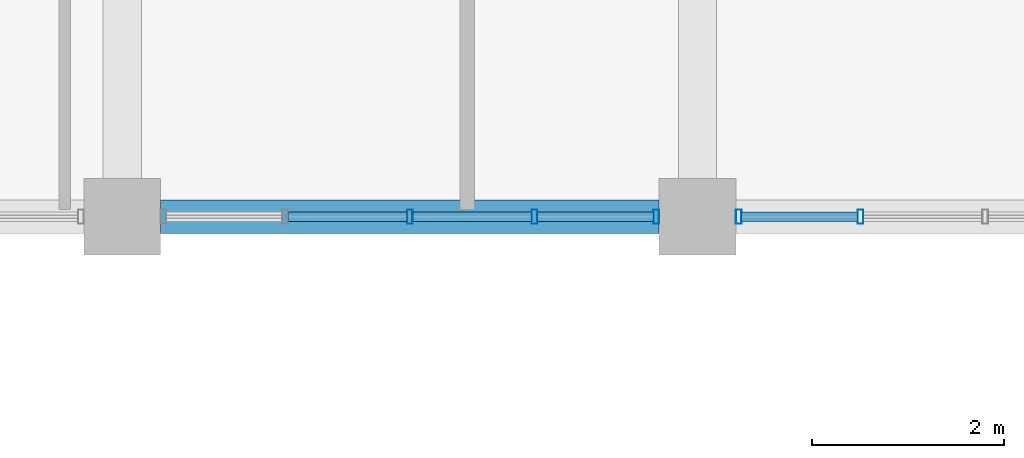
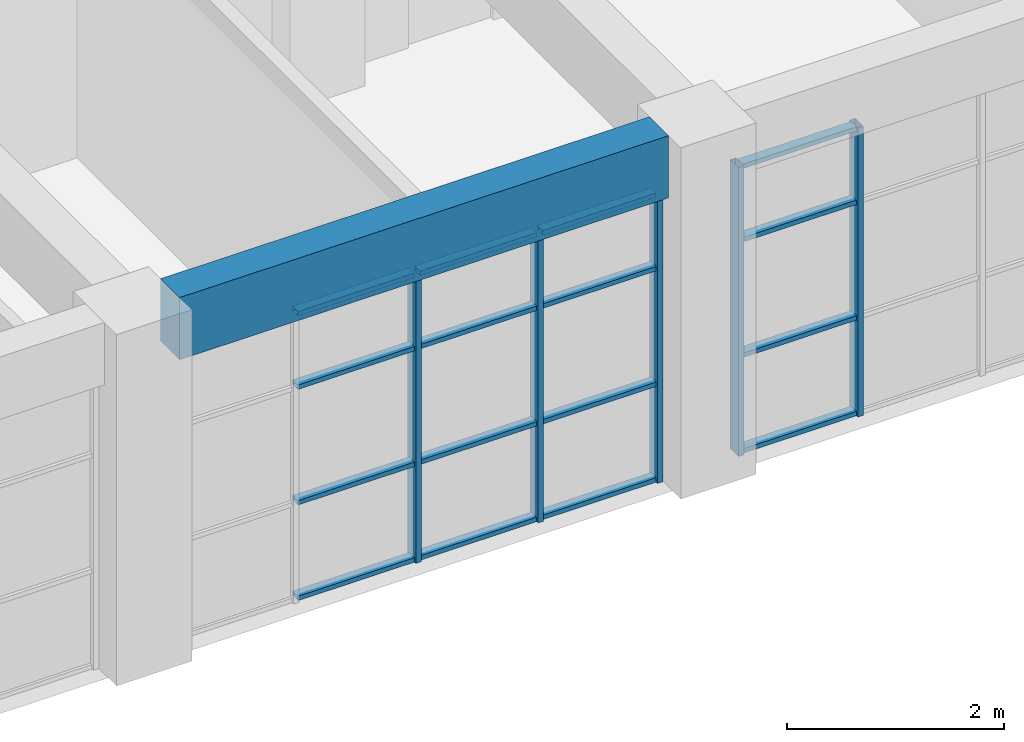
# One storey, part 14 of 51: 21 members, 1 beam, 2 elements without a shape of their own.
"""IFC4 building model written with IfcOpenShell, lengths in metres."""

import ifcopenshell
import ifcopenshell.guid

model = None  # the IFC model being written
_history = None  # IfcOwnerHistory: only IFC2X3 demands one
_inside = {}  # id of a spatial element -> (the spatial element, [elements in it])
_under = {}  # id of a project, library or spatial element -> (it, [spatial elements below it])
_declared = {}  # id of a project -> (the project, [libraries it declares])
_typed = {}  # id of a type object -> (the type object, [elements of that type])
_made_of = {}  # id of a material, layer set ... -> (it, [elements and type objects made of it])


def new_model(schema):
    """Start an empty IFC model of exactly this schema.

    Asked for "IFC4X3", IfcOpenShell would pick the latest addendum, in which some entities
    have other attributes; the version numbers below select the first issue.
    IFC2X3 requires an IfcOwnerHistory on every rooted entity: one is made here for all.
    """
    global model, _history
    if schema == "IFC4X3":
        model = ifcopenshell.file(schema_version=(4, 3, 0, 0))
    else:
        model = ifcopenshell.file(schema=schema)
    _inside.clear()
    _under.clear()
    _declared.clear()
    _typed.clear()
    _made_of.clear()
    _history = None
    if model.schema == "IFC2X3":
        org = make("IfcOrganization", Name="unknown")
        user = make(
            "IfcPersonAndOrganization",
            ThePerson=make("IfcPerson", FamilyName="unknown"),
            TheOrganization=org,
        )
        app = make(
            "IfcApplication",
            ApplicationDeveloper=org,
            Version="unknown",
            ApplicationFullName="unknown",
            ApplicationIdentifier="unknown",
        )
        _history = make(
            "IfcOwnerHistory",
            OwningUser=user,
            OwningApplication=app,
            ChangeAction="ADDED",
            CreationDate=0,
        )
    return model


def make(cls, **values):
    """One entity of the class cls with the attributes given. An attribute that is None is left unset."""
    return model.create_entity(
        cls, **{name: value for name, value in values.items() if value is not None}
    )


def rooted(cls, **values):
    """An entity with a GlobalId (a new one), such as an element, a storey or a relation."""
    return make(cls, GlobalId=ifcopenshell.guid.new(), OwnerHistory=_history, **values)


def si_unit(unit_type, name, prefix=None):
    """IfcSIUnit, for example si_unit("LENGTHUNIT", "METRE", prefix="MILLI")."""
    return make("IfcSIUnit", UnitType=unit_type, Prefix=prefix, Name=name)


def assignment(units):
    """IfcUnitAssignment: the units of a project."""
    return None if units is None else make("IfcUnitAssignment", Units=units)


def point(xyz):
    """IfcCartesianPoint."""
    return None if xyz is None else make("IfcCartesianPoint", Coordinates=xyz)


def direction(xyz):
    """IfcDirection."""
    return None if xyz is None else make("IfcDirection", DirectionRatios=xyz)


def frame(location, z_axis=None, x_axis=None):
    """IfcAxis2Placement3D, a coordinate frame: its origin and axes. An axis left out is left unset."""
    return make(
        "IfcAxis2Placement3D",
        Location=point(location),
        Axis=direction(z_axis),
        RefDirection=direction(x_axis),
    )


def frame_2d(location, x_axis=None):
    """IfcAxis2Placement2D, a coordinate frame in the plane: its origin and x axis."""
    return make(
        "IfcAxis2Placement2D", Location=point(location), RefDirection=direction(x_axis)
    )


def origin():
    """The frame at (0, 0, 0) with its axes left unset."""
    return frame((0.0, 0.0, 0.0))


def origin_2d():
    """The frame at (0, 0) in the plane with its x axis left unset."""
    return frame_2d((0.0, 0.0))


def place(relative_to, where):
    """IfcLocalPlacement: puts the frame where relative to a parent placement (None: the world)."""
    return make(
        "IfcLocalPlacement", PlacementRelTo=relative_to, RelativePlacement=where
    )


def context(
    kind, dimensions, precision=None, world=None, true_north=None, identifier=None
):
    """IfcGeometricRepresentationContext, for example the 3D "Model" context."""
    return make(
        "IfcGeometricRepresentationContext",
        ContextIdentifier=identifier,
        ContextType=kind,
        CoordinateSpaceDimension=dimensions,
        Precision=precision,
        WorldCoordinateSystem=world,
        TrueNorth=true_north,
    )


def subcontext(parent, identifier, kind, view, scale=None):
    """IfcGeometricRepresentationSubContext, for example "Body" below "Model"."""
    return make(
        "IfcGeometricRepresentationSubContext",
        ContextIdentifier=identifier,
        ContextType=kind,
        ParentContext=parent,
        TargetScale=scale,
        TargetView=view,
    )


def project(units=None, contexts=None):
    """IfcProject with its units and contexts."""
    return rooted(
        "IfcProject",
        Name="project",
        RepresentationContexts=contexts,
        UnitsInContext=assignment(units),
    )


def spatial(cls, under=None, at=None, **own):
    """A site, building, storey or space (cls), placed at a placement, below another one or the project."""
    s = rooted(cls, ObjectPlacement=at, **own)
    if under is not None:
        _under.setdefault(under.id(), (under, []))[1].append(s)
    return s


def profile(cls, at=None, kind="AREA", **sizes):
    """A parametric profile (cls). Its sizes go by their IFC names, for example OverallWidth=200.0."""
    return make(cls, ProfileType=kind, Position=at, **sizes)


def rectangle(**sizes):
    """IfcRectangleProfileDef."""
    return profile("IfcRectangleProfileDef", **sizes)


def hollow_rectangle(**sizes):
    """IfcRectangleHollowProfileDef."""
    return profile("IfcRectangleHollowProfileDef", **sizes)


def extrude(swept, where, along, depth):
    """IfcExtrudedAreaSolid: the profile swept, set in the frame where, extruded along a direction by depth."""
    return make(
        "IfcExtrudedAreaSolid",
        SweptArea=swept,
        Position=where,
        ExtrudedDirection=direction(along),
        Depth=depth,
    )


def shape(context_of_items, identifier, shape_type, items):
    """IfcShapeRepresentation: the items that make up one representation, for example the "Body"."""
    return make(
        "IfcShapeRepresentation",
        ContextOfItems=context_of_items,
        RepresentationIdentifier=identifier,
        RepresentationType=shape_type,
        Items=items,
    )


def material(Name=None, Category=None):
    """IfcMaterial."""
    return make("IfcMaterial", Name=Name, Category=Category)


def material_profile(
    of_material, cross_section, Name=None, Category=None, Priority=None
):
    """IfcMaterialProfile: a cross section and its material."""
    return make(
        "IfcMaterialProfile",
        Name=Name,
        Material=of_material,
        Profile=cross_section,
        Priority=Priority,
        Category=Category,
    )


def profile_set(profiles, Name=None, composite=None):
    """IfcMaterialProfileSet."""
    return make(
        "IfcMaterialProfileSet",
        Name=Name,
        MaterialProfiles=profiles,
        CompositeProfile=composite,
    )


def made_of(thing, what):
    """Note that an element or type object is made of a material, layer set ...; save() writes the relation."""
    if what is not None:
        _made_of.setdefault(what.id(), (what, []))[1].append(thing)
    return thing


def type_object(cls, material=None, **own):
    """A type object (cls), such as IfcWallType, which elements share."""
    return made_of(rooted(cls, **own), material)


def element(
    cls,
    number,
    at=None,
    inside=None,
    cuts=None,
    type_object=None,
    material=None,
    context=None,
    identifier="Body",
    shape_type=None,
    held_by="IfcProductDefinitionShape",
    body=None,
    shapes=None,
    **own,
):
    """One element of the class cls, such as IfcWall. Its Tag is "e" and its number.

    at: its placement. inside: the storey or other place that contains it. cuts: it is an
    opening in that element (IfcRelVoidsElement). A single representation is given by context,
    identifier, shape_type and body (its items); several are given by shapes. held_by: the class
    of the entity that holds the representations. save() writes the other relations.
    """
    e = rooted(cls, Tag="e%d" % number, ObjectPlacement=at, **own)
    if body is not None:
        shapes = [shape(context, identifier, shape_type, body)]
    if shapes is not None:
        e.Representation = make(held_by, Representations=shapes)
    if inside is not None:
        _inside.setdefault(inside.id(), (inside, []))[1].append(e)
    if cuts is not None:
        rooted(
            "IfcRelVoidsElement", RelatingBuildingElement=cuts, RelatedOpeningElement=e
        )
    if type_object is not None:
        _typed.setdefault(type_object.id(), (type_object, []))[1].append(e)
    return made_of(e, material)


def aggregate(whole, parts):
    """IfcRelAggregates: a whole, such as a stair, and the parts it consists of."""
    return rooted("IfcRelAggregates", RelatingObject=whole, RelatedObjects=parts)


def save(model, path):
    """Write the relations noted so far, then the file.

    IfcRelAggregates (storeys below a building ...), IfcRelContainedInSpatialStructure (elements
    in a storey), IfcRelDefinesByType, IfcRelAssociatesMaterial and IfcRelDeclares: one each for
    every whole, place, type object, material and project.
    """
    for whole, parts in _under.values():
        aggregate(whole, parts)
    for where, things in _inside.values():
        rooted(
            "IfcRelContainedInSpatialStructure",
            RelatedElements=things,
            RelatingStructure=where,
        )
    for kind, things in _typed.values():
        rooted("IfcRelDefinesByType", RelatedObjects=things, RelatingType=kind)
    for what, things in _made_of.values():
        rooted("IfcRelAssociatesMaterial", RelatedObjects=things, RelatingMaterial=what)
    for by, libraries in _declared.values():
        rooted("IfcRelDeclares", RelatingContext=by, RelatedDefinitions=libraries)
    model.write(path)


model = new_model("IFC4")

# Units and contexts
model_context = context("Model", 3, precision=1e-05, world=origin(), true_north=direction((0.0, 1.0)))
body_context = subcontext(model_context, "Body", "Model", "MODEL_VIEW")
ifc_project = project(units=[si_unit("LENGTHUNIT", "METRE"), si_unit("AREAUNIT", "SQUARE_METRE"), si_unit("VOLUMEUNIT", "CUBIC_METRE"), si_unit("PLANEANGLEUNIT", "RADIAN"), si_unit("MASSUNIT", "GRAM", prefix="KILO")], contexts=[model_context])

# Site, building, storey
site_placement = place(None, origin())
site = spatial("IfcSite", under=ifc_project, at=site_placement, CompositionType="ELEMENT")
building_placement = place(site_placement, origin())
building = spatial("IfcBuilding", under=site, at=building_placement, Name="Laocheng Heights Fire and Rescue Headquarters", CompositionType="ELEMENT")
storey_placement = place(building_placement, frame((0.0, 0.0, 21.0)))
storey = spatial("IfcBuildingStorey", under=building, at=storey_placement, Name="L05", CompositionType="ELEMENT", Elevation=21.0)

# Curtain wall, members
ifc_material_1 = material(Name="Dark anodised aluminium unitised curtain wall, low-e double glazing", Category="aluminium")
curtain_wall_type = type_object("IfcCurtainWallType", Name="CW 5200 x 3250 HQ SOUTH RIBBON", PredefinedType="NOTDEFINED", material=ifc_material_1)
curtain_wall_1_placement = place(storey_placement, origin())
curtain_wall_1 = element("IfcCurtainWall", 1, at=curtain_wall_1_placement, inside=storey, type_object=curtain_wall_type, Name="X16-X HQ SOUTH L05", PredefinedType="NOTDEFINED")
ifc_material_2 = material(Name="Dark anodised aluminium 6063-T5 extrusion", Category="aluminium")
ifc_material_profile_1 = material_profile(ifc_material_2, hollow_rectangle(XDim=0.14990234375, YDim=0.06005859375, WallThickness=0.0029296875, at=origin_2d()), Name="AL MULLION 150x60x3 HQ SOUTH RIBBON")
ifc_profile_set_1 = profile_set([ifc_material_profile_1], Name="Dark anodised aluminium 6063-T5 extrusion")
member_type_1 = type_object("IfcMemberType", Name="AL MULLION 150x60x3 HQ SOUTH RIBBON", PredefinedType="MULLION", material=ifc_profile_set_1)
member_1_placement = place(storey_placement, frame((75.0, 50.39990234375, 0.0), z_axis=(0.0, 0.0, 1.0), x_axis=(0.0, 1.0, 0.0)))
member_1 = element("IfcMember", 2, at=member_1_placement, type_object=member_type_1, Name="X16-X mullion 3", PredefinedType="MULLION", context=body_context, shape_type="SweptSolid", body=[
    extrude(hollow_rectangle(XDim=0.14990234375, YDim=0.06005859375, WallThickness=0.0029296875, at=origin_2d()), origin(), (0.0, 0.0, 1.0), 3.25),
])
member_2_placement = place(storey_placement, frame((76.300048828125, 50.39990234375, 0.0), z_axis=(0.0, 0.0, 1.0), x_axis=(0.0, 1.0, 0.0)))
member_2 = element("IfcMember", 3, at=member_2_placement, type_object=member_type_1, Name="X16-X mullion 4", PredefinedType="MULLION", context=body_context, shape_type="SweptSolid", body=[
    extrude(hollow_rectangle(XDim=0.14990234375, YDim=0.06005859375, WallThickness=0.0029296875, at=origin_2d()), origin(), (0.0, 0.0, 1.0), 3.25),
])
member_3_placement = place(storey_placement, frame((77.570068359375, 50.39990234375, 0.0), z_axis=(0.0, 0.0, 1.0), x_axis=(0.0, 1.0, 0.0)))
member_3 = element("IfcMember", 4, at=member_3_placement, type_object=member_type_1, Name="X16-X mullion 5", PredefinedType="MULLION", context=body_context, shape_type="SweptSolid", body=[
    extrude(hollow_rectangle(XDim=0.14990234375, YDim=0.06005859375, WallThickness=0.0029296875, at=origin_2d()), origin(), (0.0, 0.0, 1.0), 3.25),
])

curtain_wall_2_placement = place(storey_placement, origin())
curtain_wall_2 = element("IfcCurtainWall", 5, at=curtain_wall_2_placement, inside=storey, type_object=curtain_wall_type, Name="X16-X HQ SOUTH L05", PredefinedType="NOTDEFINED")
member_4_placement = place(storey_placement, frame((78.429931640625, 50.39990234375, 0.0), z_axis=(0.0, 0.0, 1.0), x_axis=(0.0, 1.0, 0.0)))
member_4 = element("IfcMember", 6, at=member_4_placement, type_object=member_type_1, Name="X16-X mullion 1", PredefinedType="MULLION", context=body_context, shape_type="SweptSolid", body=[
    extrude(hollow_rectangle(XDim=0.14990234375, YDim=0.06005859375, WallThickness=0.0029296875, at=origin_2d()), origin(), (0.0, 0.0, 1.0), 3.25),
])
member_5_placement = place(storey_placement, frame((79.699951171875, 50.39990234375, 0.0), z_axis=(0.0, 0.0, 1.0), x_axis=(0.0, 1.0, 0.0)))
member_5 = element("IfcMember", 7, at=member_5_placement, type_object=member_type_1, Name="X16-X mullion 2", PredefinedType="MULLION", context=body_context, shape_type="SweptSolid", body=[
    extrude(hollow_rectangle(XDim=0.14990234375, YDim=0.06005859375, WallThickness=0.0029296875, at=origin_2d()), origin(), (0.0, 0.0, 1.0), 3.25),
])

# Member
ifc_material_3 = material(Name="Dark anodised aluminium 6063-T5 extrusion", Category="aluminium")
ifc_material_profile_2 = material_profile(ifc_material_3, hollow_rectangle(XDim=0.10009765625, YDim=0.050048828125, WallThickness=0.0029296875, at=origin_2d()), Name="AL TRANSOM 100x50x3 HQ SOUTH RIBBON")
ifc_profile_set_2 = profile_set([ifc_material_profile_2], Name="Dark anodised aluminium 6063-T5 extrusion")
member_type_2 = type_object("IfcMemberType", Name="AL TRANSOM 100x50x3 HQ SOUTH RIBBON", PredefinedType="USERDEFINED", material=ifc_profile_set_2)
member_6_placement = place(storey_placement, frame((73.72998046875, 50.39990234375, 0.02490234375), z_axis=(1.0, 0.0, 0.0), x_axis=(0.0, 1.0, 0.0)))
member_6 = element("IfcMember", 8, at=member_6_placement, type_object=member_type_2, Name="X16-X transom 2.1", ObjectType="TRANSOM", PredefinedType="USERDEFINED", context=body_context, shape_type="SweptSolid", body=[
    extrude(hollow_rectangle(XDim=0.10009765625, YDim=0.050048828125, WallThickness=0.0029296875, at=origin_2d()), origin(), (0.0, 0.0, 1.0), 1.239990234375),
])

member_7_placement = place(storey_placement, frame((73.72998046875, 50.39990234375, 1.10009765625), z_axis=(1.0, 0.0, 0.0), x_axis=(0.0, 1.0, 0.0)))
member_7 = element("IfcMember", 9, at=member_7_placement, type_object=member_type_2, Name="X16-X transom 2.2", ObjectType="TRANSOM", PredefinedType="USERDEFINED", context=body_context, shape_type="SweptSolid", body=[
    extrude(hollow_rectangle(XDim=0.10009765625, YDim=0.050048828125, WallThickness=0.0029296875, at=origin_2d()), origin(), (0.0, 0.0, 1.0), 1.239990234375),
])

member_8_placement = place(storey_placement, frame((73.72998046875, 50.39990234375, 2.39990234375), z_axis=(1.0, 0.0, 0.0), x_axis=(0.0, 1.0, 0.0)))
member_8 = element("IfcMember", 10, at=member_8_placement, type_object=member_type_2, Name="X16-X transom 2.3", ObjectType="TRANSOM", PredefinedType="USERDEFINED", context=body_context, shape_type="SweptSolid", body=[
    extrude(hollow_rectangle(XDim=0.10009765625, YDim=0.050048828125, WallThickness=0.0029296875, at=origin_2d()), origin(), (0.0, 0.0, 1.0), 1.239990234375),
])

member_9_placement = place(storey_placement, frame((73.72998046875, 50.39990234375, 3.22509765625), z_axis=(1.0, 0.0, 0.0), x_axis=(0.0, 1.0, 0.0)))
member_9 = element("IfcMember", 11, at=member_9_placement, type_object=member_type_2, Name="X16-X transom 2.4", ObjectType="TRANSOM", PredefinedType="USERDEFINED", context=body_context, shape_type="SweptSolid", body=[
    extrude(hollow_rectangle(XDim=0.10009765625, YDim=0.050048828125, WallThickness=0.0029296875, at=origin_2d()), origin(), (0.0, 0.0, 1.0), 1.239990234375),
])

member_10_placement = place(storey_placement, frame((75.030029296875, 50.39990234375, 0.02490234375), z_axis=(1.0, 0.0, 0.0), x_axis=(0.0, 1.0, 0.0)))
member_10 = element("IfcMember", 12, at=member_10_placement, type_object=member_type_2, Name="X16-X transom 3.1", ObjectType="TRANSOM", PredefinedType="USERDEFINED", context=body_context, shape_type="SweptSolid", body=[
    extrude(hollow_rectangle(XDim=0.10009765625, YDim=0.050048828125, WallThickness=0.0029296875, at=origin_2d()), origin(), (0.0, 0.0, 1.0), 1.239990234375),
])

member_11_placement = place(storey_placement, frame((75.030029296875, 50.39990234375, 1.10009765625), z_axis=(1.0, 0.0, 0.0), x_axis=(0.0, 1.0, 0.0)))
member_11 = element("IfcMember", 13, at=member_11_placement, type_object=member_type_2, Name="X16-X transom 3.2", ObjectType="TRANSOM", PredefinedType="USERDEFINED", context=body_context, shape_type="SweptSolid", body=[
    extrude(hollow_rectangle(XDim=0.10009765625, YDim=0.050048828125, WallThickness=0.0029296875, at=origin_2d()), origin(), (0.0, 0.0, 1.0), 1.239990234375),
])

member_12_placement = place(storey_placement, frame((75.030029296875, 50.39990234375, 2.39990234375), z_axis=(1.0, 0.0, 0.0), x_axis=(0.0, 1.0, 0.0)))
member_12 = element("IfcMember", 14, at=member_12_placement, type_object=member_type_2, Name="X16-X transom 3.3", ObjectType="TRANSOM", PredefinedType="USERDEFINED", context=body_context, shape_type="SweptSolid", body=[
    extrude(hollow_rectangle(XDim=0.10009765625, YDim=0.050048828125, WallThickness=0.0029296875, at=origin_2d()), origin(), (0.0, 0.0, 1.0), 1.239990234375),
])

member_13_placement = place(storey_placement, frame((75.030029296875, 50.39990234375, 3.22509765625), z_axis=(1.0, 0.0, 0.0), x_axis=(0.0, 1.0, 0.0)))
member_13 = element("IfcMember", 15, at=member_13_placement, type_object=member_type_2, Name="X16-X transom 3.4", ObjectType="TRANSOM", PredefinedType="USERDEFINED", context=body_context, shape_type="SweptSolid", body=[
    extrude(hollow_rectangle(XDim=0.10009765625, YDim=0.050048828125, WallThickness=0.0029296875, at=origin_2d()), origin(), (0.0, 0.0, 1.0), 1.239990234375),
])

member_14_placement = place(storey_placement, frame((76.330078125, 50.39990234375, 0.02490234375), z_axis=(1.0, 0.0, 0.0), x_axis=(0.0, 1.0, 0.0)))
member_14 = element("IfcMember", 16, at=member_14_placement, type_object=member_type_2, Name="X16-X transom 4.1", ObjectType="TRANSOM", PredefinedType="USERDEFINED", context=body_context, shape_type="SweptSolid", body=[
    extrude(hollow_rectangle(XDim=0.10009765625, YDim=0.050048828125, WallThickness=0.0029296875, at=origin_2d()), origin(), (0.0, 0.0, 1.0), 1.2099609375),
])

member_15_placement = place(storey_placement, frame((76.330078125, 50.39990234375, 1.10009765625), z_axis=(1.0, 0.0, 0.0), x_axis=(0.0, 1.0, 0.0)))
member_15 = element("IfcMember", 17, at=member_15_placement, type_object=member_type_2, Name="X16-X transom 4.2", ObjectType="TRANSOM", PredefinedType="USERDEFINED", context=body_context, shape_type="SweptSolid", body=[
    extrude(hollow_rectangle(XDim=0.10009765625, YDim=0.050048828125, WallThickness=0.0029296875, at=origin_2d()), origin(), (0.0, 0.0, 1.0), 1.2099609375),
])

member_16_placement = place(storey_placement, frame((76.330078125, 50.39990234375, 2.39990234375), z_axis=(1.0, 0.0, 0.0), x_axis=(0.0, 1.0, 0.0)))
member_16 = element("IfcMember", 18, at=member_16_placement, type_object=member_type_2, Name="X16-X transom 4.3", ObjectType="TRANSOM", PredefinedType="USERDEFINED", context=body_context, shape_type="SweptSolid", body=[
    extrude(hollow_rectangle(XDim=0.10009765625, YDim=0.050048828125, WallThickness=0.0029296875, at=origin_2d()), origin(), (0.0, 0.0, 1.0), 1.2099609375),
])

member_17_placement = place(storey_placement, frame((76.330078125, 50.39990234375, 3.22509765625), z_axis=(1.0, 0.0, 0.0), x_axis=(0.0, 1.0, 0.0)))
member_17 = element("IfcMember", 19, at=member_17_placement, type_object=member_type_2, Name="X16-X transom 4.4", ObjectType="TRANSOM", PredefinedType="USERDEFINED", context=body_context, shape_type="SweptSolid", body=[
    extrude(hollow_rectangle(XDim=0.10009765625, YDim=0.050048828125, WallThickness=0.0029296875, at=origin_2d()), origin(), (0.0, 0.0, 1.0), 1.2099609375),
])

aggregate(curtain_wall_1, [member_1, member_2, member_3, member_6, member_7, member_8, member_9, member_10, member_11, member_12, member_13, member_14, member_15, member_16, member_17])

member_18_placement = place(storey_placement, frame((78.4599609375, 50.39990234375, 0.02490234375), z_axis=(1.0, 0.0, 0.0), x_axis=(0.0, 1.0, 0.0)))
member_18 = element("IfcMember", 20, at=member_18_placement, type_object=member_type_2, Name="X16-X transom 1.1", ObjectType="TRANSOM", PredefinedType="USERDEFINED", context=body_context, shape_type="SweptSolid", body=[
    extrude(hollow_rectangle(XDim=0.10009765625, YDim=0.050048828125, WallThickness=0.0029296875, at=origin_2d()), origin(), (0.0, 0.0, 1.0), 1.2099609375),
])

member_19_placement = place(storey_placement, frame((78.4599609375, 50.39990234375, 1.10009765625), z_axis=(1.0, 0.0, 0.0), x_axis=(0.0, 1.0, 0.0)))
member_19 = element("IfcMember", 21, at=member_19_placement, type_object=member_type_2, Name="X16-X transom 1.2", ObjectType="TRANSOM", PredefinedType="USERDEFINED", context=body_context, shape_type="SweptSolid", body=[
    extrude(hollow_rectangle(XDim=0.10009765625, YDim=0.050048828125, WallThickness=0.0029296875, at=origin_2d()), origin(), (0.0, 0.0, 1.0), 1.2099609375),
])

member_20_placement = place(storey_placement, frame((78.4599609375, 50.39990234375, 2.39990234375), z_axis=(1.0, 0.0, 0.0), x_axis=(0.0, 1.0, 0.0)))
member_20 = element("IfcMember", 22, at=member_20_placement, type_object=member_type_2, Name="X16-X transom 1.3", ObjectType="TRANSOM", PredefinedType="USERDEFINED", context=body_context, shape_type="SweptSolid", body=[
    extrude(hollow_rectangle(XDim=0.10009765625, YDim=0.050048828125, WallThickness=0.0029296875, at=origin_2d()), origin(), (0.0, 0.0, 1.0), 1.2099609375),
])

member_21_placement = place(storey_placement, frame((78.4599609375, 50.39990234375, 3.22509765625), z_axis=(1.0, 0.0, 0.0), x_axis=(0.0, 1.0, 0.0)))
member_21 = element("IfcMember", 23, at=member_21_placement, type_object=member_type_2, Name="X16-X transom 1.4", ObjectType="TRANSOM", PredefinedType="USERDEFINED", context=body_context, shape_type="SweptSolid", body=[
    extrude(hollow_rectangle(XDim=0.10009765625, YDim=0.050048828125, WallThickness=0.0029296875, at=origin_2d()), origin(), (0.0, 0.0, 1.0), 1.2099609375),
])

aggregate(curtain_wall_2, [member_4, member_5, member_18, member_19, member_20, member_21])

# Beam
ifc_material_4 = material(Name="Concrete C40", Category="concrete")
ifc_material_profile_3 = material_profile(ifc_material_4, rectangle(XDim=0.35009765625, YDim=0.699951171875, at=origin_2d()), Name="RC BEAM 350x700 HQ ROOF")
ifc_profile_set_3 = profile_set([ifc_material_profile_3], Name="Concrete C40")
beam_type = type_object("IfcBeamType", Name="RC BEAM 350x700 HQ ROOF", PredefinedType="BEAM", material=ifc_profile_set_3)
beam_placement = place(storey_placement, frame((72.39990234375, 50.39990234375, 3.60009765625), z_axis=(1.0, 0.0, 0.0), x_axis=(0.0, 1.0, 0.0)))
element("IfcBeam", 24, at=beam_placement, inside=storey, type_object=beam_type, Name="HQ beam L05", PredefinedType="BEAM", context=body_context, shape_type="SweptSolid", body=[
    extrude(rectangle(XDim=0.35009765625, YDim=0.699951171875, at=origin_2d()), origin(), (0.0, 0.0, 1.0), 5.2001953125),
])

save(model, "model.ifc")
